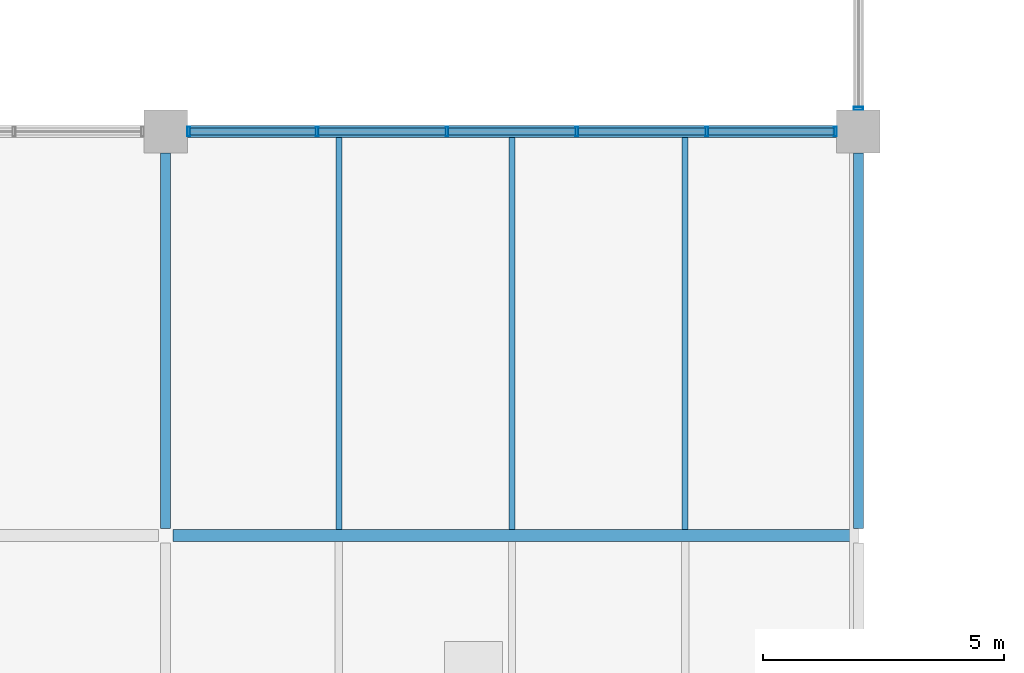
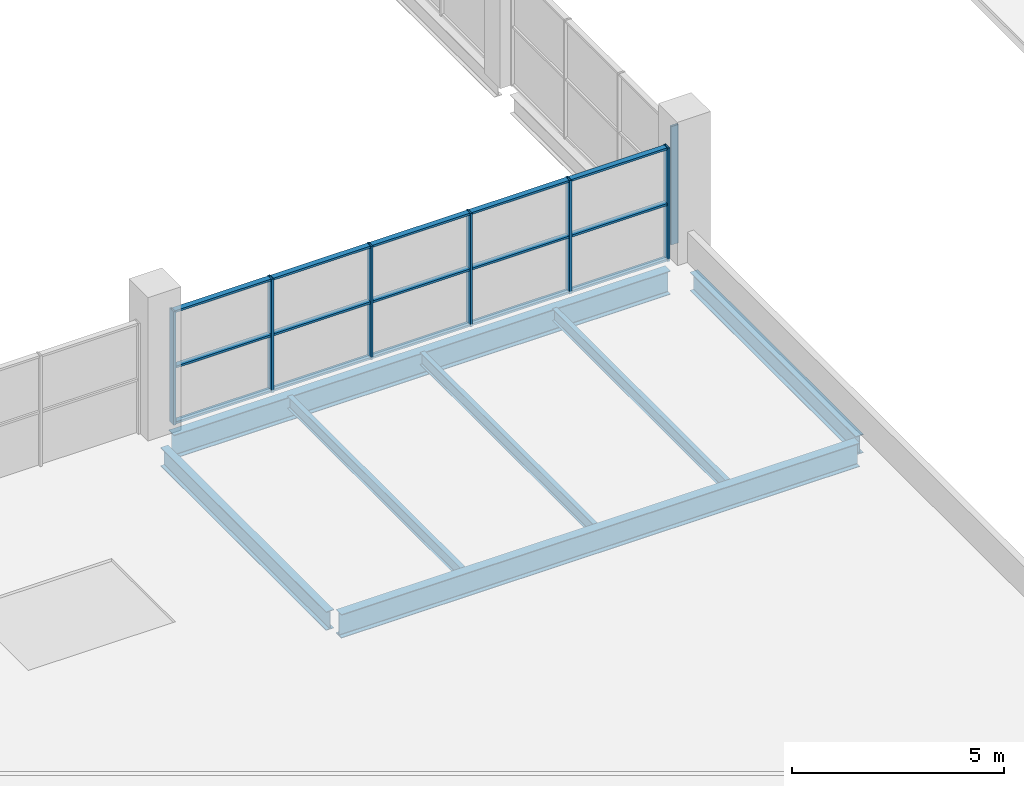
# One storey, part 28 of 93: 22 members, 7 beams, 2 elements without a shape of their own.
"""IFC4 building model written with IfcOpenShell, lengths in metres."""

from ifc_helpers import new_model, si_unit, direction, frame, origin, origin_2d, place, context, subcontext, project, spatial, hollow_rectangle, i_section, extrude, material, material_profile, profile_set, type_object, element, aggregate, save


model = new_model("IFC4")

# Units and contexts
model_context = context("Model", 3, precision=1e-05, world=origin(), true_north=direction((0.0, 1.0)))
body_context = subcontext(model_context, "Body", "Model", "MODEL_VIEW")
ifc_project = project(units=[si_unit("LENGTHUNIT", "METRE"), si_unit("AREAUNIT", "SQUARE_METRE"), si_unit("VOLUMEUNIT", "CUBIC_METRE"), si_unit("PLANEANGLEUNIT", "RADIAN"), si_unit("MASSUNIT", "GRAM", prefix="KILO"), si_unit("THERMODYNAMICTEMPERATUREUNIT", "KELVIN")], contexts=[model_context])

# Site, building, storey
site_placement = place(None, origin())
site = spatial("IfcSite", under=ifc_project, at=site_placement, CompositionType="ELEMENT")
building_placement = place(site_placement, origin())
building = spatial("IfcBuilding", under=site, at=building_placement, Name="Nduvali Passage Aquatics Centre", CompositionType="ELEMENT")
storey_placement = place(building_placement, frame((0.0, 0.0, 9.0)))
storey = spatial("IfcBuildingStorey", under=building, at=storey_placement, Name="L02", CompositionType="ELEMENT", Elevation=9.0)

# Curtain wall, member
ifc_material_1 = material(Name="Aluminium EN AW-6063 T6", Category="aluminium")
curtain_wall_type = type_object("IfcCurtainWallType", Name="ENV-CW-CLER", PredefinedType="NOTDEFINED", material=ifc_material_1)
curtain_wall_1_placement = place(storey_placement, origin())
curtain_wall_1 = element("IfcCurtainWall", 1, at=curtain_wall_1_placement, inside=storey, type_object=curtain_wall_type, Name="L02 East Passage Pool Hall Mid Clerestory 016", PredefinedType="NOTDEFINED")
ifc_material_profile_1 = material_profile(ifc_material_1, hollow_rectangle(XDim=0.06005859375, YDim=0.199951171875, WallThickness=0.00390625, at=origin_2d()), Name="ALU MULLION 60x200x4")
ifc_profile_set_1 = profile_set([ifc_material_profile_1], Name="Aluminium EN AW-6063 T6")
member_type_1 = type_object("IfcMemberType", Name="ENV-MEM-MUL80", PredefinedType="MULLION", material=ifc_profile_set_1)
member_1_placement = place(storey_placement, frame((126.0, 25.679931640625, 0.0), z_axis=(0.0, 0.0, 1.0), x_axis=(0.0, 1.0, 0.0)))
member_1 = element("IfcMember", 2, at=member_1_placement, type_object=member_type_1, Name="East Passage Pool Hall Mid Clerestory Mullion 1", PredefinedType="MULLION", context=body_context, shape_type="SweptSolid", body=[
    extrude(hollow_rectangle(XDim=0.06005859375, YDim=0.199951171875, WallThickness=0.00390625, at=origin_2d()), origin(), (0.0, 0.0, 1.0), 3.406494140625),
])
aggregate(curtain_wall_1, [member_1])

# Curtain wall, members
curtain_wall_2_placement = place(storey_placement, origin())
curtain_wall_2 = element("IfcCurtainWall", 3, at=curtain_wall_2_placement, inside=storey, type_object=curtain_wall_type, Name="L02 South Pool Hall Eave Clerestory 052", PredefinedType="NOTDEFINED")
member_2_placement = place(storey_placement, frame((112.080078125, 25.199951171875, 0.0), z_axis=(0.0, 0.0, 1.0), x_axis=(1.0, 0.0, 0.0)))
member_2 = element("IfcMember", 4, at=member_2_placement, type_object=member_type_1, Name="South Pool Hall Eave Clerestory Mullion 1", PredefinedType="MULLION", context=body_context, shape_type="SweptSolid", body=[
    extrude(hollow_rectangle(XDim=0.06005859375, YDim=0.199951171875, WallThickness=0.00390625, at=origin_2d()), origin(), (0.0, 0.0, 1.0), 3.2626953125),
])
member_3_placement = place(storey_placement, frame((114.75, 25.199951171875, 0.0), z_axis=(0.0, 0.0, 1.0), x_axis=(1.0, 0.0, 0.0)))
member_3 = element("IfcMember", 5, at=member_3_placement, type_object=member_type_1, Name="South Pool Hall Eave Clerestory Mullion 2", PredefinedType="MULLION", context=body_context, shape_type="SweptSolid", body=[
    extrude(hollow_rectangle(XDim=0.06005859375, YDim=0.199951171875, WallThickness=0.00390625, at=origin_2d()), origin(), (0.0, 0.0, 1.0), 3.2626953125),
])
member_4_placement = place(storey_placement, frame((117.449951171875, 25.199951171875, 0.0), z_axis=(0.0, 0.0, 1.0), x_axis=(1.0, 0.0, 0.0)))
member_4 = element("IfcMember", 6, at=member_4_placement, type_object=member_type_1, Name="South Pool Hall Eave Clerestory Mullion 3", PredefinedType="MULLION", context=body_context, shape_type="SweptSolid", body=[
    extrude(hollow_rectangle(XDim=0.06005859375, YDim=0.199951171875, WallThickness=0.00390625, at=origin_2d()), origin(), (0.0, 0.0, 1.0), 3.2626953125),
])
member_5_placement = place(storey_placement, frame((120.14990234375, 25.199951171875, 0.0), z_axis=(0.0, 0.0, 1.0), x_axis=(1.0, 0.0, 0.0)))
member_5 = element("IfcMember", 7, at=member_5_placement, type_object=member_type_1, Name="South Pool Hall Eave Clerestory Mullion 4", PredefinedType="MULLION", context=body_context, shape_type="SweptSolid", body=[
    extrude(hollow_rectangle(XDim=0.06005859375, YDim=0.199951171875, WallThickness=0.00390625, at=origin_2d()), origin(), (0.0, 0.0, 1.0), 3.2626953125),
])
member_6_placement = place(storey_placement, frame((122.85009765625, 25.199951171875, 0.0), z_axis=(0.0, 0.0, 1.0), x_axis=(1.0, 0.0, 0.0)))
member_6 = element("IfcMember", 8, at=member_6_placement, type_object=member_type_1, Name="South Pool Hall Eave Clerestory Mullion 5", PredefinedType="MULLION", context=body_context, shape_type="SweptSolid", body=[
    extrude(hollow_rectangle(XDim=0.06005859375, YDim=0.199951171875, WallThickness=0.00390625, at=origin_2d()), origin(), (0.0, 0.0, 1.0), 3.2626953125),
])
member_7_placement = place(storey_placement, frame((125.52001953125, 25.199951171875, 0.0), z_axis=(0.0, 0.0, 1.0), x_axis=(1.0, 0.0, 0.0)))
member_7 = element("IfcMember", 9, at=member_7_placement, type_object=member_type_1, Name="South Pool Hall Eave Clerestory Mullion 6", PredefinedType="MULLION", context=body_context, shape_type="SweptSolid", body=[
    extrude(hollow_rectangle(XDim=0.06005859375, YDim=0.199951171875, WallThickness=0.00390625, at=origin_2d()), origin(), (0.0, 0.0, 1.0), 3.2626953125),
])
ifc_material_profile_2 = material_profile(ifc_material_1, hollow_rectangle(XDim=0.14990234375, YDim=0.06005859375, WallThickness=0.00390625, at=origin_2d()), Name="ALU TRANSOM 150x60x4")
ifc_profile_set_2 = profile_set([ifc_material_profile_2], Name="Aluminium EN AW-6063 T6")
member_type_2 = type_object("IfcMemberType", Name="ENV-MEM-TRN80", PredefinedType="USERDEFINED", material=ifc_profile_set_2)
member_8_placement = place(storey_placement, frame((112.110107421875, 25.199951171875, 0.030029296875), z_axis=(1.0, 0.0, 0.0), x_axis=(0.0, 1.0, 0.0)))
member_8 = element("IfcMember", 10, at=member_8_placement, type_object=member_type_2, Name="South Pool Hall Eave Clerestory Transom B1-R0", ObjectType="TRANSOM", PredefinedType="USERDEFINED", context=body_context, shape_type="SweptSolid", body=[
    extrude(hollow_rectangle(XDim=0.14990234375, YDim=0.06005859375, WallThickness=0.00390625, at=origin_2d()), origin(), (0.0, 0.0, 1.0), 2.60986328125),
])
member_9_placement = place(storey_placement, frame((112.110107421875, 25.199951171875, 1.63134765625), z_axis=(1.0, 0.0, 0.0), x_axis=(0.0, 1.0, 0.0)))
member_9 = element("IfcMember", 11, at=member_9_placement, type_object=member_type_2, Name="South Pool Hall Eave Clerestory Transom B1-R1", ObjectType="TRANSOM", PredefinedType="USERDEFINED", context=body_context, shape_type="SweptSolid", body=[
    extrude(hollow_rectangle(XDim=0.14990234375, YDim=0.06005859375, WallThickness=0.00390625, at=origin_2d()), origin(), (0.0, 0.0, 1.0), 2.60986328125),
])
member_10_placement = place(storey_placement, frame((112.110107421875, 25.199951171875, 3.232666015625), z_axis=(1.0, 0.0, 0.0), x_axis=(0.0, 1.0, 0.0)))
member_10 = element("IfcMember", 12, at=member_10_placement, type_object=member_type_2, Name="South Pool Hall Eave Clerestory Transom B1-R2", ObjectType="TRANSOM", PredefinedType="USERDEFINED", context=body_context, shape_type="SweptSolid", body=[
    extrude(hollow_rectangle(XDim=0.14990234375, YDim=0.06005859375, WallThickness=0.00390625, at=origin_2d()), origin(), (0.0, 0.0, 1.0), 2.60986328125),
])
member_11_placement = place(storey_placement, frame((114.780029296875, 25.199951171875, 0.030029296875), z_axis=(1.0, 0.0, 0.0), x_axis=(0.0, 1.0, 0.0)))
member_11 = element("IfcMember", 13, at=member_11_placement, type_object=member_type_2, Name="South Pool Hall Eave Clerestory Transom B2-R0", ObjectType="TRANSOM", PredefinedType="USERDEFINED", context=body_context, shape_type="SweptSolid", body=[
    extrude(hollow_rectangle(XDim=0.14990234375, YDim=0.06005859375, WallThickness=0.00390625, at=origin_2d()), origin(), (0.0, 0.0, 1.0), 2.639892578125),
])
member_12_placement = place(storey_placement, frame((114.780029296875, 25.199951171875, 1.63134765625), z_axis=(1.0, 0.0, 0.0), x_axis=(0.0, 1.0, 0.0)))
member_12 = element("IfcMember", 14, at=member_12_placement, type_object=member_type_2, Name="South Pool Hall Eave Clerestory Transom B2-R1", ObjectType="TRANSOM", PredefinedType="USERDEFINED", context=body_context, shape_type="SweptSolid", body=[
    extrude(hollow_rectangle(XDim=0.14990234375, YDim=0.06005859375, WallThickness=0.00390625, at=origin_2d()), origin(), (0.0, 0.0, 1.0), 2.639892578125),
])
member_13_placement = place(storey_placement, frame((114.780029296875, 25.199951171875, 3.232666015625), z_axis=(1.0, 0.0, 0.0), x_axis=(0.0, 1.0, 0.0)))
member_13 = element("IfcMember", 15, at=member_13_placement, type_object=member_type_2, Name="South Pool Hall Eave Clerestory Transom B2-R2", ObjectType="TRANSOM", PredefinedType="USERDEFINED", context=body_context, shape_type="SweptSolid", body=[
    extrude(hollow_rectangle(XDim=0.14990234375, YDim=0.06005859375, WallThickness=0.00390625, at=origin_2d()), origin(), (0.0, 0.0, 1.0), 2.639892578125),
])
member_14_placement = place(storey_placement, frame((117.47998046875, 25.199951171875, 0.030029296875), z_axis=(1.0, 0.0, 0.0), x_axis=(0.0, 1.0, 0.0)))
member_14 = element("IfcMember", 16, at=member_14_placement, type_object=member_type_2, Name="South Pool Hall Eave Clerestory Transom B3-R0", ObjectType="TRANSOM", PredefinedType="USERDEFINED", context=body_context, shape_type="SweptSolid", body=[
    extrude(hollow_rectangle(XDim=0.14990234375, YDim=0.06005859375, WallThickness=0.00390625, at=origin_2d()), origin(), (0.0, 0.0, 1.0), 2.64013671875),
])
member_15_placement = place(storey_placement, frame((117.47998046875, 25.199951171875, 1.63134765625), z_axis=(1.0, 0.0, 0.0), x_axis=(0.0, 1.0, 0.0)))
member_15 = element("IfcMember", 17, at=member_15_placement, type_object=member_type_2, Name="South Pool Hall Eave Clerestory Transom B3-R1", ObjectType="TRANSOM", PredefinedType="USERDEFINED", context=body_context, shape_type="SweptSolid", body=[
    extrude(hollow_rectangle(XDim=0.14990234375, YDim=0.06005859375, WallThickness=0.00390625, at=origin_2d()), origin(), (0.0, 0.0, 1.0), 2.64013671875),
])
member_16_placement = place(storey_placement, frame((117.47998046875, 25.199951171875, 3.232666015625), z_axis=(1.0, 0.0, 0.0), x_axis=(0.0, 1.0, 0.0)))
member_16 = element("IfcMember", 18, at=member_16_placement, type_object=member_type_2, Name="South Pool Hall Eave Clerestory Transom B3-R2", ObjectType="TRANSOM", PredefinedType="USERDEFINED", context=body_context, shape_type="SweptSolid", body=[
    extrude(hollow_rectangle(XDim=0.14990234375, YDim=0.06005859375, WallThickness=0.00390625, at=origin_2d()), origin(), (0.0, 0.0, 1.0), 2.64013671875),
])
member_17_placement = place(storey_placement, frame((120.179931640625, 25.199951171875, 0.030029296875), z_axis=(1.0, 0.0, 0.0), x_axis=(0.0, 1.0, 0.0)))
member_17 = element("IfcMember", 19, at=member_17_placement, type_object=member_type_2, Name="South Pool Hall Eave Clerestory Transom B4-R0", ObjectType="TRANSOM", PredefinedType="USERDEFINED", context=body_context, shape_type="SweptSolid", body=[
    extrude(hollow_rectangle(XDim=0.14990234375, YDim=0.06005859375, WallThickness=0.00390625, at=origin_2d()), origin(), (0.0, 0.0, 1.0), 2.64013671875),
])
member_18_placement = place(storey_placement, frame((120.179931640625, 25.199951171875, 1.63134765625), z_axis=(1.0, 0.0, 0.0), x_axis=(0.0, 1.0, 0.0)))
member_18 = element("IfcMember", 20, at=member_18_placement, type_object=member_type_2, Name="South Pool Hall Eave Clerestory Transom B4-R1", ObjectType="TRANSOM", PredefinedType="USERDEFINED", context=body_context, shape_type="SweptSolid", body=[
    extrude(hollow_rectangle(XDim=0.14990234375, YDim=0.06005859375, WallThickness=0.00390625, at=origin_2d()), origin(), (0.0, 0.0, 1.0), 2.64013671875),
])
member_19_placement = place(storey_placement, frame((120.179931640625, 25.199951171875, 3.232666015625), z_axis=(1.0, 0.0, 0.0), x_axis=(0.0, 1.0, 0.0)))
member_19 = element("IfcMember", 21, at=member_19_placement, type_object=member_type_2, Name="South Pool Hall Eave Clerestory Transom B4-R2", ObjectType="TRANSOM", PredefinedType="USERDEFINED", context=body_context, shape_type="SweptSolid", body=[
    extrude(hollow_rectangle(XDim=0.14990234375, YDim=0.06005859375, WallThickness=0.00390625, at=origin_2d()), origin(), (0.0, 0.0, 1.0), 2.64013671875),
])
member_20_placement = place(storey_placement, frame((122.8798828125, 25.199951171875, 0.030029296875), z_axis=(1.0, 0.0, 0.0), x_axis=(0.0, 1.0, 0.0)))
member_20 = element("IfcMember", 22, at=member_20_placement, type_object=member_type_2, Name="South Pool Hall Eave Clerestory Transom B5-R0", ObjectType="TRANSOM", PredefinedType="USERDEFINED", context=body_context, shape_type="SweptSolid", body=[
    extrude(hollow_rectangle(XDim=0.14990234375, YDim=0.06005859375, WallThickness=0.00390625, at=origin_2d()), origin(), (0.0, 0.0, 1.0), 2.610107421875),
])
member_21_placement = place(storey_placement, frame((122.8798828125, 25.199951171875, 1.63134765625), z_axis=(1.0, 0.0, 0.0), x_axis=(0.0, 1.0, 0.0)))
member_21 = element("IfcMember", 23, at=member_21_placement, type_object=member_type_2, Name="South Pool Hall Eave Clerestory Transom B5-R1", ObjectType="TRANSOM", PredefinedType="USERDEFINED", context=body_context, shape_type="SweptSolid", body=[
    extrude(hollow_rectangle(XDim=0.14990234375, YDim=0.06005859375, WallThickness=0.00390625, at=origin_2d()), origin(), (0.0, 0.0, 1.0), 2.610107421875),
])
member_22_placement = place(storey_placement, frame((122.8798828125, 25.199951171875, 3.232666015625), z_axis=(1.0, 0.0, 0.0), x_axis=(0.0, 1.0, 0.0)))
member_22 = element("IfcMember", 24, at=member_22_placement, type_object=member_type_2, Name="South Pool Hall Eave Clerestory Transom B5-R2", ObjectType="TRANSOM", PredefinedType="USERDEFINED", context=body_context, shape_type="SweptSolid", body=[
    extrude(hollow_rectangle(XDim=0.14990234375, YDim=0.06005859375, WallThickness=0.00390625, at=origin_2d()), origin(), (0.0, 0.0, 1.0), 2.610107421875),
])
aggregate(curtain_wall_2, [member_2, member_3, member_4, member_5, member_6, member_7, member_8, member_9, member_10, member_11, member_12, member_13, member_14, member_15, member_16, member_17, member_18, member_19, member_20, member_21, member_22])

# Beams
ifc_material_2 = material(Name="Steel S355", Category="steel")
ifc_material_profile_3 = material_profile(ifc_material_2, i_section(OverallWidth=0.210693359375, OverallDepth=0.53955078125, WebThickness=0.01171875, FlangeThickness=0.018798828125, FilletRadius=0.0126953125, at=origin_2d()), Name="UKB 533x210x109")
ifc_profile_set_3 = profile_set([ifc_material_profile_3], Name="Steel S355")
beam_type_1 = type_object("IfcBeamType", Name="STR-BM-UKB533", PredefinedType="BEAM", material=ifc_profile_set_3)
beam_1_placement = place(storey_placement, frame((111.60009765625, 16.949951171875, -0.493896484375), z_axis=(0.0, 1.0, 0.0), x_axis=(-1.0, 0.0, 0.0)))
element("IfcBeam", 25, at=beam_1_placement, inside=storey, type_object=beam_type_1, Name="L02 Primary Y-Girder B6-1002", PredefinedType="BEAM", context=body_context, shape_type="SweptSolid", body=[
    extrude(i_section(OverallWidth=0.210693359375, OverallDepth=0.53955078125, WebThickness=0.01171875, FlangeThickness=0.018798828125, FilletRadius=0.0126953125, at=origin_2d()), origin(), (0.0, 0.0, 1.0), 7.800048828125),
])
ifc_material_profile_4 = material_profile(ifc_material_2, i_section(OverallWidth=0.210693359375, OverallDepth=0.53955078125, WebThickness=0.01171875, FlangeThickness=0.018798828125, FilletRadius=0.0126953125, at=origin_2d()), Name="UKB 533x210x109")
ifc_profile_set_4 = profile_set([ifc_material_profile_4], Name="Steel S355")
beam_type_2 = type_object("IfcBeamType", Name="STR-BM-UKB533-EXT", PredefinedType="BEAM", material=ifc_profile_set_4)
beam_2_placement = place(storey_placement, frame((126.0, 16.949951171875, -0.493896484375), z_axis=(0.0, 1.0, 0.0), x_axis=(-1.0, 0.0, 0.0)))
element("IfcBeam", 26, at=beam_2_placement, inside=storey, type_object=beam_type_2, Name="L02 Primary Y-Girder B6E-1009", PredefinedType="BEAM", context=body_context, shape_type="SweptSolid", body=[
    extrude(i_section(OverallWidth=0.210693359375, OverallDepth=0.53955078125, WebThickness=0.01171875, FlangeThickness=0.018798828125, FilletRadius=0.0126953125, at=origin_2d()), origin(), (0.0, 0.0, 1.0), 7.800048828125),
])
ifc_material_profile_5 = material_profile(ifc_material_2, i_section(OverallWidth=0.253662109375, OverallDepth=0.68359375, WebThickness=0.012451171875, FlangeThickness=0.01904296875, FilletRadius=0.01513671875, at=origin_2d()), Name="UKB 686x254x140")
ifc_profile_set_5 = profile_set([ifc_material_profile_5], Name="Steel S355")
beam_type_3 = type_object("IfcBeamType", Name="STR-BM-UKB686", PredefinedType="BEAM", material=ifc_profile_set_5)
beam_3_placement = place(storey_placement, frame((111.75, 16.800048828125, -0.565673828125), z_axis=(1.0, 0.0, 0.0), x_axis=(0.0, 1.0, 0.0)))
element("IfcBeam", 27, at=beam_3_placement, inside=storey, type_object=beam_type_3, Name="L02 Primary X-Girder B4-0873", PredefinedType="BEAM", context=body_context, shape_type="SweptSolid", body=[
    extrude(i_section(OverallWidth=0.253662109375, OverallDepth=0.68359375, WebThickness=0.012451171875, FlangeThickness=0.01904296875, FilletRadius=0.01513671875, at=origin_2d()), origin(), (0.0, 0.0, 1.0), 14.10009765625),
])
ifc_material_profile_6 = material_profile(ifc_material_2, i_section(OverallWidth=0.253662109375, OverallDepth=0.68359375, WebThickness=0.012451171875, FlangeThickness=0.01904296875, FilletRadius=0.01513671875, at=origin_2d()), Name="UKB 686x254x140")
ifc_profile_set_6 = profile_set([ifc_material_profile_6], Name="Steel S355")
beam_type_4 = type_object("IfcBeamType", Name="STR-BM-UKB686-EXT", PredefinedType="BEAM", material=ifc_profile_set_6)
beam_4_placement = place(storey_placement, frame((112.050048828125, 25.199951171875, -0.605712890625), z_axis=(1.0, 0.0, 0.0), x_axis=(0.0, 1.0, 0.0)))
element("IfcBeam", 28, at=beam_4_placement, inside=storey, type_object=beam_type_4, Name="L02 Primary X-Girder B4E-0880", PredefinedType="BEAM", context=body_context, shape_type="SweptSolid", body=[
    extrude(i_section(OverallWidth=0.253662109375, OverallDepth=0.68359375, WebThickness=0.012451171875, FlangeThickness=0.01904296875, FilletRadius=0.01513671875, at=origin_2d()), origin(), (0.0, 0.0, 1.0), 13.5),
])
ifc_material_profile_7 = material_profile(ifc_material_2, i_section(OverallWidth=0.1259765625, OverallDepth=0.353515625, WebThickness=0.006591796875, FlangeThickness=0.0107421875, FilletRadius=0.01025390625, at=origin_2d()), Name="UKB 356x127x39")
ifc_profile_set_7 = profile_set([ifc_material_profile_7], Name="Steel S355")
beam_type_5 = type_object("IfcBeamType", Name="STR-JST-UKB356L", PredefinedType="JOIST", material=ifc_profile_set_7)
for number, where, z_axis, x_axis, name in (
    (29, (115.199951171875, 16.9267578125, -0.400634765625), (0.0, 1.0, 0.0), (-1.0, 0.0, 0.0), "L02 Secondary Joist J2A-1092"),
    (30, (118.800048828125, 16.9267578125, -0.400634765625), (0.0, 1.0, 0.0), (-1.0, 0.0, 0.0), "L02 Secondary Joist J2A-1093"),
    (31, (122.39990234375, 16.9267578125, -0.400634765625), (0.0, 1.0, 0.0), (-1.0, 0.0, 0.0), "L02 Secondary Joist J2A-1094"),
):
    element("IfcBeam", number, at=place(storey_placement, frame(where, z_axis=z_axis, x_axis=x_axis)), inside=storey, type_object=beam_type_5, Name=name, PredefinedType="JOIST", context=body_context, shape_type="SweptSolid", body=[
        extrude(i_section(OverallWidth=0.1259765625, OverallDepth=0.353515625, WebThickness=0.006591796875, FlangeThickness=0.0107421875, FilletRadius=0.01025390625, at=origin_2d()), origin(), (0.0, 0.0, 1.0), 8.146484375),
    ])

save(model, "model.ifc")
